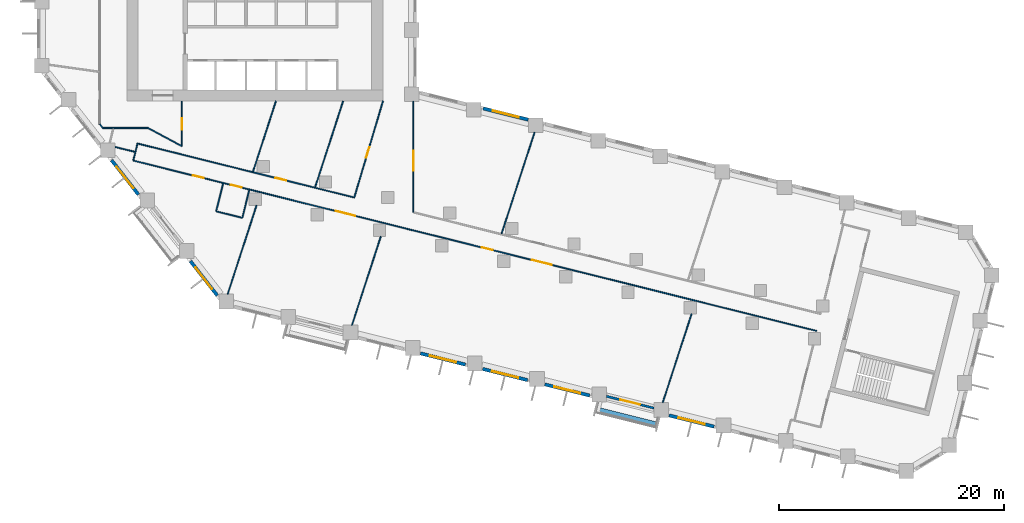
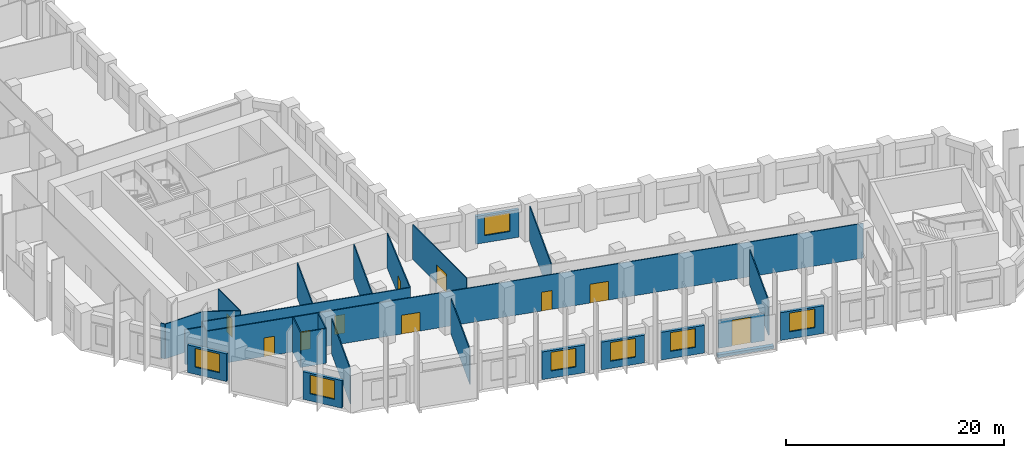
# One storey, part 3 of 11: 28 walls, 10 doors, 7 windows, 17 openings.
"""IFC4 building model written with IfcOpenShell, lengths in metres."""

from ifc_helpers import new_model, si_unit, direction, frame, frame_2d, origin, place, context, subcontext, project, spatial, rectangle, extrude, material, layer, layer_set, type_object, element, fill, save


model = new_model("IFC4")

# Units and contexts
model_context = context("Model", 3, precision=1e-05, world=origin(), true_north=direction((0.0, 1.0)))
body_context = subcontext(model_context, "Body", "Model", "MODEL_VIEW")
ifc_project = project(units=[si_unit("LENGTHUNIT", "METRE"), si_unit("AREAUNIT", "SQUARE_METRE"), si_unit("VOLUMEUNIT", "CUBIC_METRE"), si_unit("PLANEANGLEUNIT", "RADIAN"), si_unit("MASSUNIT", "GRAM", prefix="KILO")], contexts=[model_context])

# Site, building, storey
site_placement = place(None, origin())
site = spatial("IfcSite", under=ifc_project, at=site_placement, CompositionType="ELEMENT")
building_placement = place(site_placement, origin())
building = spatial("IfcBuilding", under=site, at=building_placement, Name="Meshkara Civic Tower", CompositionType="ELEMENT")
storey_placement = place(building_placement, frame((0.0, 0.0, 147.60009765625)))
storey = spatial("IfcBuildingStorey", under=building, at=storey_placement, Name="L33", CompositionType="ELEMENT", Elevation=147.60009765625)

# Walls
ifc_material_1 = material(Name="Corridor wall 100")
ifc_layer_1 = layer(ifc_material_1, 0.10009765625)
ifc_layer_set_1 = layer_set([ifc_layer_1], Name="Corridor wall 100")
wall_type_1 = type_object("IfcWallType", Name="Corridor wall 100", PredefinedType="PARTITIONING", material=ifc_layer_set_1)
wall_1_placement = place(storey_placement, frame((5.60009765625, 12.0439453125, 0.0), z_axis=(0.0, 0.0, 1.0), x_axis=(0.61572000582, -0.787965021072, 0.0)))
element("IfcWall", 1, at=wall_1_placement, inside=storey, type_object=wall_type_1, Name="L33-W004", PredefinedType="PARTITIONING", context=body_context, shape_type="SweptSolid", body=[
    extrude(rectangle(XDim=0.4365234375, YDim=0.10009765625, at=frame_2d((0.21826171875, 0.0))), origin(), (0.0, 0.0, 1.0), 3.89990234375),
])
wall_2_placement = place(storey_placement, frame((5.868896484375, 11.699951171875, 0.0), z_axis=(0.0, 0.0, 1.0), x_axis=(1.0, 0.0, 0.0)))
element("IfcWall", 2, at=wall_2_placement, inside=storey, type_object=wall_type_1, Name="L33-W006", PredefinedType="PARTITIONING", context=body_context, shape_type="SweptSolid", body=[
    extrude(rectangle(XDim=4.031005859375, YDim=0.10009765625, at=frame_2d((2.015625, 0.0))), origin(), (0.0, 0.0, 1.0), 3.89990234375),
])

# Wall, openings, doors
wall_3_placement = place(storey_placement, frame((8.5791015625, 8.802978515625, 0.0), z_axis=(0.0, 0.0, 1.0), x_axis=(0.970298569476, -0.241910491863, 0.0)))
wall_3 = element("IfcWall", 3, at=wall_3_placement, inside=storey, type_object=wall_type_1, Name="L33-W008", PredefinedType="PARTITIONING", context=body_context, shape_type="SweptSolid", body=[
    extrude(rectangle(XDim=62.675537109375, YDim=0.10009765625, at=frame_2d((31.337890625, 0.0))), origin(), (0.0, 0.0, 1.0), 3.89990234375),
])
opening_1_placement = place(wall_3_placement, frame((36.56591796875, 0.0, 0.0)))
opening_1 = element("IfcOpeningElement", 4, at=opening_1_placement, cuts=wall_3, Name="Opening L33-D003", PredefinedType="OPENING", context=body_context, shape_type="SweptSolid", body=[
    extrude(rectangle(XDim=1.800048828125, YDim=2.10009765625, at=frame_2d((0.89990234375, 1.050048828125))), frame((0.0, 0.06005859375, 0.0), z_axis=(0.0, -1.0, 0.0), x_axis=(1.0, 0.0, 0.0)), (0.0, 0.0, 1.0), 0.1201171875),
])
opening_2_placement = place(wall_3_placement, frame((18.56689453125, 0.0, 0.0)))
opening_2 = element("IfcOpeningElement", 5, at=opening_2_placement, cuts=wall_3, Name="Opening L33-D005", PredefinedType="OPENING", context=body_context, shape_type="SweptSolid", body=[
    extrude(rectangle(XDim=1.800048828125, YDim=2.10009765625, at=frame_2d((0.89990234375, 1.050048828125))), frame((0.0, 0.06005859375, 0.0), z_axis=(0.0, -1.0, 0.0), x_axis=(1.0, 0.0, 0.0)), (0.0, 0.0, 1.0), 0.1201171875),
])
opening_3_placement = place(wall_3_placement, frame((31.966064453125, 0.0, 0.0)))
opening_3 = element("IfcOpeningElement", 6, at=opening_3_placement, cuts=wall_3, Name="Opening L33-D006", PredefinedType="OPENING", context=body_context, shape_type="SweptSolid", body=[
    extrude(rectangle(XDim=1.0, YDim=2.10009765625, at=frame_2d((0.5, 1.050048828125))), frame((0.0, 0.06005859375, 0.0), z_axis=(0.0, -1.0, 0.0), x_axis=(1.0, 0.0, 0.0)), (0.0, 0.0, 1.0), 0.1201171875),
])
opening_4_placement = place(wall_3_placement, frame((5.47998046875, 0.0, 0.0)))
opening_4 = element("IfcOpeningElement", 7, at=opening_4_placement, cuts=wall_3, Name="Opening L33-D010", PredefinedType="OPENING", context=body_context, shape_type="SweptSolid", body=[
    extrude(rectangle(XDim=1.0, YDim=2.10009765625, at=frame_2d((0.5, 1.050048828125))), frame((0.0, 0.06005859375, 0.0), z_axis=(0.0, -1.0, 0.0), x_axis=(1.0, 0.0, 0.0)), (0.0, 0.0, 1.0), 0.1201171875),
])
opening_5_placement = place(wall_3_placement, frame((8.929931640625, 0.0, 0.0)))
opening_5 = element("IfcOpeningElement", 8, at=opening_5_placement, cuts=wall_3, Name="Opening L33-D011", PredefinedType="OPENING", context=body_context, shape_type="SweptSolid", body=[
    extrude(rectangle(XDim=1.0, YDim=2.10009765625, at=frame_2d((0.5, 1.050048828125))), frame((0.0, 0.06005859375, 0.0), z_axis=(0.0, -1.0, 0.0), x_axis=(1.0, 0.0, 0.0)), (0.0, 0.0, 1.0), 0.1201171875),
])
ifc_material_2 = material(Name="Door 1000 x 2100")
door_type_1 = type_object("IfcDoorType", Name="Door 1000 x 2100", OperationType="SINGLE_SWING_LEFT", PredefinedType="DOOR", material=ifc_material_2)
door_1_placement = place(opening_3_placement, origin())
door_1 = element("IfcDoor", 9, at=door_1_placement, inside=storey, type_object=door_type_1, Name="L33-D006", OperationType="SINGLE_SWING_RIGHT", OverallHeight=2.10009765625, OverallWidth=1.0, PredefinedType="DOOR", context=body_context, shape_type="SweptSolid", body=[
    extrude(rectangle(XDim=1.0, YDim=2.10009765625, at=frame_2d((0.5, 1.050048828125))), frame((0.0, 0.02490234375, 0.0), z_axis=(0.0, -1.0, 0.0), x_axis=(1.0, 0.0, 0.0)), (0.0, 0.0, 1.0), 0.050048828125),
])
fill(opening_3, door_1)
door_2_placement = place(opening_4_placement, origin())
door_2 = element("IfcDoor", 10, at=door_2_placement, inside=storey, type_object=door_type_1, Name="L33-D010", OperationType="SINGLE_SWING_LEFT", OverallHeight=2.10009765625, OverallWidth=1.0, PredefinedType="DOOR", context=body_context, shape_type="SweptSolid", body=[
    extrude(rectangle(XDim=1.0, YDim=2.10009765625, at=frame_2d((0.5, 1.050048828125))), frame((0.0, 0.02490234375, 0.0), z_axis=(0.0, -1.0, 0.0), x_axis=(1.0, 0.0, 0.0)), (0.0, 0.0, 1.0), 0.050048828125),
])
fill(opening_4, door_2)
door_3_placement = place(opening_5_placement, origin())
door_3 = element("IfcDoor", 11, at=door_3_placement, inside=storey, type_object=door_type_1, Name="L33-D011", OperationType="SINGLE_SWING_RIGHT", OverallHeight=2.10009765625, OverallWidth=1.0, PredefinedType="DOOR", context=body_context, shape_type="SweptSolid", body=[
    extrude(rectangle(XDim=1.0, YDim=2.10009765625, at=frame_2d((0.5, 1.050048828125))), frame((0.0, 0.02490234375, 0.0), z_axis=(0.0, -1.0, 0.0), x_axis=(1.0, 0.0, 0.0)), (0.0, 0.0, 1.0), 0.050048828125),
])
fill(opening_5, door_3)
ifc_material_3 = material(Name="Door pair 1800 x 2100")
door_type_2 = type_object("IfcDoorType", Name="Door pair 1800 x 2100", OperationType="SINGLE_SWING_LEFT", PredefinedType="DOOR", material=ifc_material_3)
door_4_placement = place(opening_1_placement, origin())
door_4 = element("IfcDoor", 12, at=door_4_placement, inside=storey, type_object=door_type_2, Name="L33-D003", OperationType="DOUBLE_DOOR_SINGLE_SWING", OverallHeight=2.10009765625, OverallWidth=1.800048828125, PredefinedType="DOOR", context=body_context, shape_type="SweptSolid", body=[
    extrude(rectangle(XDim=1.800048828125, YDim=2.10009765625, at=frame_2d((0.89990234375, 1.050048828125))), frame((0.0, 0.02490234375, 0.0), z_axis=(0.0, -1.0, 0.0), x_axis=(1.0, 0.0, 0.0)), (0.0, 0.0, 1.0), 0.050048828125),
])
fill(opening_1, door_4)
door_5_placement = place(opening_2_placement, origin())
door_5 = element("IfcDoor", 13, at=door_5_placement, inside=storey, type_object=door_type_2, Name="L33-D005", OperationType="DOUBLE_DOOR_SINGLE_SWING", OverallHeight=2.10009765625, OverallWidth=1.800048828125, PredefinedType="DOOR", context=body_context, shape_type="SweptSolid", body=[
    extrude(rectangle(XDim=1.800048828125, YDim=2.10009765625, at=frame_2d((0.89990234375, 1.050048828125))), frame((0.0, 0.02490234375, 0.0), z_axis=(0.0, -1.0, 0.0), x_axis=(1.0, 0.0, 0.0)), (0.0, 0.0, 1.0), 0.050048828125),
])
fill(opening_2, door_5)

# Wall, opening, door
wall_4_placement = place(storey_placement, frame((8.9580078125, 10.322998046875, 0.0), z_axis=(0.0, 0.0, 1.0), x_axis=(0.970298340477, -0.241911410372, 0.0)))
wall_4 = element("IfcWall", 14, at=wall_4_placement, inside=storey, type_object=wall_type_1, Name="L33-W009", PredefinedType="PARTITIONING", context=body_context, shape_type="SweptSolid", body=[
    extrude(rectangle(XDim=19.879638671875, YDim=0.10009765625, at=frame_2d((9.93994140625, 0.0))), origin(), (0.0, 0.0, 1.0), 3.89990234375),
])
opening_6_placement = place(wall_4_placement, frame((12.653076171875, 0.0, 0.0)))
opening_6 = element("IfcOpeningElement", 15, at=opening_6_placement, cuts=wall_4, Name="Opening L33-D012", PredefinedType="OPENING", context=body_context, shape_type="SweptSolid", body=[
    extrude(rectangle(XDim=1.0, YDim=2.10009765625, at=frame_2d((0.5, 1.050048828125))), frame((0.0, 0.06005859375, 0.0), z_axis=(0.0, -1.0, 0.0), x_axis=(1.0, 0.0, 0.0)), (0.0, 0.0, 1.0), 0.1201171875),
])
door_6_placement = place(opening_6_placement, origin())
door_6 = element("IfcDoor", 16, at=door_6_placement, inside=storey, type_object=door_type_1, Name="L33-D012", OperationType="SINGLE_SWING_LEFT", OverallHeight=2.10009765625, OverallWidth=1.0, PredefinedType="DOOR", context=body_context, shape_type="SweptSolid", body=[
    extrude(rectangle(XDim=1.0, YDim=2.10009765625, at=frame_2d((0.5, 1.050048828125))), frame((0.0, 0.02490234375, 0.0), z_axis=(0.0, -1.0, 0.0), x_axis=(1.0, 0.0, 0.0)), (0.0, 0.0, 1.0), 0.050048828125),
])
fill(opening_6, door_6)

# Walls
wall_5_placement = place(storey_placement, frame((8.9580078125, 10.322998046875, 0.0), z_axis=(0.0, 0.0, 1.0), x_axis=(-0.241875508386, -0.97030729073, 0.0)))
element("IfcWall", 17, at=wall_5_placement, inside=storey, type_object=wall_type_1, Name="L33-W010", PredefinedType="PARTITIONING", context=body_context, shape_type="SweptSolid", body=[
    extrude(rectangle(XDim=1.566650390625, YDim=0.10009765625, at=frame_2d((0.783203125, 0.0))), origin(), (0.0, 0.0, 1.0), 3.89990234375),
])
wall_6_placement = place(storey_placement, frame((9.89990234375, 11.699951171875, 0.0), z_axis=(0.0, 0.0, 1.0), x_axis=(0.87965147249, -0.475618846291, 0.0)))
element("IfcWall", 18, at=wall_6_placement, inside=storey, type_object=wall_type_1, Name="L33-W011", PredefinedType="PARTITIONING", context=body_context, shape_type="SweptSolid", body=[
    extrude(rectangle(XDim=3.410400390625, YDim=0.10009765625, at=frame_2d((1.705078125, 0.0))), origin(), (0.0, 0.0, 1.0), 3.89990234375),
])

# Wall, opening, door
wall_7_placement = place(storey_placement, frame((12.89990234375, 10.077880859375, 0.0), z_axis=(0.0, 0.0, 1.0), x_axis=(0.0, 1.0, 0.0)))
wall_7 = element("IfcWall", 19, at=wall_7_placement, inside=storey, type_object=wall_type_1, Name="L33-W015", PredefinedType="PARTITIONING", context=body_context, shape_type="SweptSolid", body=[
    extrude(rectangle(XDim=4.022216796875, YDim=0.10009765625, at=frame_2d((2.01123046875, 0.0))), origin(), (0.0, 0.0, 1.0), 3.89990234375),
])
opening_7_placement = place(wall_7_placement, frame((1.47998046875, 0.0, 0.0)))
opening_7 = element("IfcOpeningElement", 20, at=opening_7_placement, cuts=wall_7, Name="Opening L33-D016", PredefinedType="OPENING", context=body_context, shape_type="SweptSolid", body=[
    extrude(rectangle(XDim=1.0, YDim=2.10009765625, at=frame_2d((0.5, 1.050048828125))), frame((0.0, 0.06005859375, 0.0), z_axis=(0.0, -1.0, 0.0), x_axis=(1.0, 0.0, 0.0)), (0.0, 0.0, 1.0), 0.1201171875),
])
door_7_placement = place(opening_7_placement, origin())
door_7 = element("IfcDoor", 21, at=door_7_placement, inside=storey, type_object=door_type_1, Name="L33-D016", OperationType="SINGLE_SWING_RIGHT", OverallHeight=2.10009765625, OverallWidth=1.0, PredefinedType="DOOR", context=body_context, shape_type="SweptSolid", body=[
    extrude(rectangle(XDim=1.0, YDim=2.10009765625, at=frame_2d((0.5, 1.050048828125))), frame((0.0, 0.02490234375, 0.0), z_axis=(0.0, -1.0, 0.0), x_axis=(1.0, 0.0, 0.0)), (0.0, 0.0, 1.0), 0.050048828125),
])
fill(opening_7, door_7)

wall_8_placement = place(storey_placement, frame((30.800048828125, 14.10009765625, 0.0), z_axis=(0.0, 0.0, 1.0), x_axis=(-0.285004107837, -0.958526295162, 0.0)))
wall_8 = element("IfcWall", 22, at=wall_8_placement, inside=storey, type_object=wall_type_1, Name="L33-W021", PredefinedType="PARTITIONING", context=body_context, shape_type="SweptSolid", body=[
    extrude(rectangle(XDim=8.957763671875, YDim=0.10009765625, at=frame_2d((4.47900390625, 0.0))), origin(), (0.0, 0.0, 1.0), 3.89990234375),
])
opening_8_placement = place(wall_8_placement, frame((4.280029296875, 0.0, 0.0)))
opening_8 = element("IfcOpeningElement", 23, at=opening_8_placement, cuts=wall_8, Name="Opening L33-D013", PredefinedType="OPENING", context=body_context, shape_type="SweptSolid", body=[
    extrude(rectangle(XDim=1.0, YDim=2.10009765625, at=frame_2d((0.5, 1.050048828125))), frame((0.0, 0.06005859375, 0.0), z_axis=(0.0, -1.0, 0.0), x_axis=(1.0, 0.0, 0.0)), (0.0, 0.0, 1.0), 0.1201171875),
])
door_8_placement = place(opening_8_placement, origin())
door_8 = element("IfcDoor", 24, at=door_8_placement, inside=storey, type_object=door_type_1, Name="L33-D013", OperationType="SINGLE_SWING_LEFT", OverallHeight=2.10009765625, OverallWidth=1.0, PredefinedType="DOOR", context=body_context, shape_type="SweptSolid", body=[
    extrude(rectangle(XDim=1.0, YDim=2.10009765625, at=frame_2d((0.5, 1.050048828125))), frame((0.0, 0.02490234375, 0.0), z_axis=(0.0, -1.0, 0.0), x_axis=(1.0, 0.0, 0.0)), (0.0, 0.0, 1.0), 0.050048828125),
])
fill(opening_8, door_8)

wall_9_placement = place(storey_placement, frame((33.5, 4.2041015625, 0.0), z_axis=(0.0, 0.0, 1.0), x_axis=(0.0, 1.0, 0.0)))
wall_9 = element("IfcWall", 25, at=wall_9_placement, inside=storey, type_object=wall_type_1, Name="L33-W023", PredefinedType="PARTITIONING", context=body_context, shape_type="SweptSolid", body=[
    extrude(rectangle(XDim=9.864990234375, YDim=0.10009765625, at=frame_2d((4.9326171875, 0.0))), origin(), (0.0, 0.0, 1.0), 3.89990234375),
])
opening_9_placement = place(wall_9_placement, frame((3.679931640625, 0.0, 0.0)))
opening_9 = element("IfcOpeningElement", 26, at=opening_9_placement, cuts=wall_9, Name="Opening L33-D014", PredefinedType="OPENING", context=body_context, shape_type="SweptSolid", body=[
    extrude(rectangle(XDim=1.800048828125, YDim=2.10009765625, at=frame_2d((0.89990234375, 1.050048828125))), frame((0.0, 0.06005859375, 0.0), z_axis=(0.0, -1.0, 0.0), x_axis=(1.0, 0.0, 0.0)), (0.0, 0.0, 1.0), 0.1201171875),
])
door_9_placement = place(opening_9_placement, origin())
door_9 = element("IfcDoor", 27, at=door_9_placement, inside=storey, type_object=door_type_2, Name="L33-D014", OperationType="DOUBLE_DOOR_SINGLE_SWING", OverallHeight=2.10009765625, OverallWidth=1.800048828125, PredefinedType="DOOR", context=body_context, shape_type="SweptSolid", body=[
    extrude(rectangle(XDim=1.800048828125, YDim=2.10009765625, at=frame_2d((0.89990234375, 1.050048828125))), frame((0.0, 0.02490234375, 0.0), z_axis=(0.0, -1.0, 0.0), x_axis=(1.0, 0.0, 0.0)), (0.0, 0.0, 1.0), 0.050048828125),
])
fill(opening_9, door_9)

# Wall, opening, window
ifc_material_4 = material(Name="Insulated infill panel with bronze anodised aluminium cladding", Category="aluminium")
ifc_layer_2 = layer(ifc_material_4, 0.300048828125)
ifc_layer_set_2 = layer_set([ifc_layer_2], Name="EXTERNAL INFILL WALL 300")
wall_type_2 = type_object("IfcWallType", Name="EXTERNAL INFILL WALL 300", PredefinedType="SOLIDWALL", material=ifc_layer_set_2)
wall_10_placement = place(storey_placement, frame((43.718994140625, 12.443115234375, 0.0), z_axis=(0.0, 0.0, 1.0), x_axis=(-0.970281650314, 0.241978344205, 0.0)))
wall_10 = element("IfcWall", 28, at=wall_10_placement, inside=storey, type_object=wall_type_2, Name="External wall", PredefinedType="SOLIDWALL", context=body_context, shape_type="SweptSolid", body=[
    extrude(rectangle(XDim=4.12353515625, YDim=0.300048828125, at=frame_2d((2.061767578125, 0.0))), origin(), (0.0, 0.0, 1.0), 3.099853515625),
])
opening_10_placement = place(wall_10_placement, frame((0.862060546875, 0.0, 0.800048828125)))
opening_10 = element("IfcOpeningElement", 29, at=opening_10_placement, cuts=wall_10, Name="Opening W7", PredefinedType="OPENING", context=body_context, shape_type="SweptSolid", body=[
    extrude(rectangle(XDim=2.39990234375, YDim=2.10009765625, at=frame_2d((1.199951171875, 1.050048828125))), frame((0.0, 0.159912109375, 0.0), z_axis=(0.0, -1.0, 0.0), x_axis=(1.0, 0.0, 0.0)), (0.0, 0.0, 1.0), 0.320068359375),
])
ifc_material_5 = material(Name="Tinted double glazing", Category="glass")
window_type = type_object("IfcWindowType", Name="WINDOW 2400x2100", PartitioningType="DOUBLE_PANEL_VERTICAL", PredefinedType="WINDOW", material=ifc_material_5)
window_1_placement = place(opening_10_placement, origin())
window_1 = element("IfcWindow", 30, at=window_1_placement, inside=storey, type_object=window_type, Name="Window", OverallHeight=2.10009765625, OverallWidth=2.39990234375, PartitioningType="DOUBLE_PANEL_VERTICAL", PredefinedType="WINDOW", context=body_context, shape_type="SweptSolid", body=[
    extrude(rectangle(XDim=2.39990234375, YDim=2.10009765625, at=frame_2d((1.199951171875, 1.050048828125))), frame((0.0, 0.030029296875, 0.0), z_axis=(0.0, -1.0, 0.0), x_axis=(1.0, 0.0, 0.0)), (0.0, 0.0, 1.0), 0.06005859375),
])
fill(opening_10, window_1)

wall_11_placement = place(storey_placement, frame((6.64892578125, 8.833984375, 0.0), z_axis=(0.0, 0.0, 1.0), x_axis=(0.615535257281, -0.788109349674, 0.0)))
wall_11 = element("IfcWall", 31, at=wall_11_placement, inside=storey, type_object=wall_type_2, Name="External wall", PredefinedType="SOLIDWALL", context=body_context, shape_type="SweptSolid", body=[
    extrude(rectangle(XDim=3.876220703125, YDim=0.300048828125, at=frame_2d((1.93798828125, 0.0))), origin(), (0.0, 0.0, 1.0), 3.099853515625),
])
opening_11_placement = place(wall_11_placement, frame((0.738037109375, 0.0, 0.800048828125)))
opening_11 = element("IfcOpeningElement", 32, at=opening_11_placement, cuts=wall_11, Name="Opening W7", PredefinedType="OPENING", context=body_context, shape_type="SweptSolid", body=[
    extrude(rectangle(XDim=2.39990234375, YDim=2.10009765625, at=frame_2d((1.199951171875, 1.050048828125))), frame((0.0, 0.159912109375, 0.0), z_axis=(0.0, -1.0, 0.0), x_axis=(1.0, 0.0, 0.0)), (0.0, 0.0, 1.0), 0.320068359375),
])
window_2_placement = place(opening_11_placement, origin())
window_2 = element("IfcWindow", 33, at=window_2_placement, inside=storey, type_object=window_type, Name="Window", OverallHeight=2.10009765625, OverallWidth=2.39990234375, PartitioningType="DOUBLE_PANEL_VERTICAL", PredefinedType="WINDOW", context=body_context, shape_type="SweptSolid", body=[
    extrude(rectangle(XDim=2.39990234375, YDim=2.10009765625, at=frame_2d((1.199951171875, 1.050048828125))), frame((0.0, 0.030029296875, 0.0), z_axis=(0.0, -1.0, 0.0), x_axis=(1.0, 0.0, 0.0)), (0.0, 0.0, 1.0), 0.06005859375),
])
fill(opening_11, window_2)

wall_12_placement = place(storey_placement, frame((13.6669921875, -0.14990234375, 0.0), z_axis=(0.0, 0.0, 1.0), x_axis=(0.615626928003, -0.788037743714, 0.0)))
wall_12 = element("IfcWall", 34, at=wall_12_placement, inside=storey, type_object=wall_type_2, Name="External wall", PredefinedType="SOLIDWALL", context=body_context, shape_type="SweptSolid", body=[
    extrude(rectangle(XDim=3.875732421875, YDim=0.300048828125, at=frame_2d((1.93798828125, 0.0))), origin(), (0.0, 0.0, 1.0), 3.099853515625),
])
opening_12_placement = place(wall_12_placement, frame((0.738037109375, 0.0, 0.800048828125)))
opening_12 = element("IfcOpeningElement", 35, at=opening_12_placement, cuts=wall_12, Name="Opening W7", PredefinedType="OPENING", context=body_context, shape_type="SweptSolid", body=[
    extrude(rectangle(XDim=2.39990234375, YDim=2.10009765625, at=frame_2d((1.199951171875, 1.050048828125))), frame((0.0, 0.159912109375, 0.0), z_axis=(0.0, -1.0, 0.0), x_axis=(1.0, 0.0, 0.0)), (0.0, 0.0, 1.0), 0.320068359375),
])
window_3_placement = place(opening_12_placement, origin())
window_3 = element("IfcWindow", 36, at=window_3_placement, inside=storey, type_object=window_type, Name="Window", OverallHeight=2.10009765625, OverallWidth=2.39990234375, PartitioningType="DOUBLE_PANEL_VERTICAL", PredefinedType="WINDOW", context=body_context, shape_type="SweptSolid", body=[
    extrude(rectangle(XDim=2.39990234375, YDim=2.10009765625, at=frame_2d((1.199951171875, 1.050048828125))), frame((0.0, 0.030029296875, 0.0), z_axis=(0.0, -1.0, 0.0), x_axis=(1.0, 0.0, 0.0)), (0.0, 0.0, 1.0), 0.06005859375),
])
fill(opening_12, window_3)

wall_13_placement = place(storey_placement, frame((34.135009765625, -8.35595703125, 0.0), z_axis=(0.0, 0.0, 1.0), x_axis=(0.970281616392, -0.241978480223, 0.0)))
wall_13 = element("IfcWall", 37, at=wall_13_placement, inside=storey, type_object=wall_type_2, Name="External wall", PredefinedType="SOLIDWALL", context=body_context, shape_type="SweptSolid", body=[
    extrude(rectangle(XDim=4.12451171875, YDim=0.300048828125, at=frame_2d((2.062255859375, 0.0))), origin(), (0.0, 0.0, 1.0), 3.099853515625),
])
opening_13_placement = place(wall_13_placement, frame((0.862060546875, 0.0, 0.800048828125)))
opening_13 = element("IfcOpeningElement", 38, at=opening_13_placement, cuts=wall_13, Name="Opening W7", PredefinedType="OPENING", context=body_context, shape_type="SweptSolid", body=[
    extrude(rectangle(XDim=2.39990234375, YDim=2.10009765625, at=frame_2d((1.199951171875, 1.050048828125))), frame((0.0, 0.159912109375, 0.0), z_axis=(0.0, -1.0, 0.0), x_axis=(1.0, 0.0, 0.0)), (0.0, 0.0, 1.0), 0.320068359375),
])
window_4_placement = place(opening_13_placement, origin())
window_4 = element("IfcWindow", 39, at=window_4_placement, inside=storey, type_object=window_type, Name="Window", OverallHeight=2.10009765625, OverallWidth=2.39990234375, PartitioningType="DOUBLE_PANEL_VERTICAL", PredefinedType="WINDOW", context=body_context, shape_type="SweptSolid", body=[
    extrude(rectangle(XDim=2.39990234375, YDim=2.10009765625, at=frame_2d((1.199951171875, 1.050048828125))), frame((0.0, 0.030029296875, 0.0), z_axis=(0.0, -1.0, 0.0), x_axis=(1.0, 0.0, 0.0)), (0.0, 0.0, 1.0), 0.06005859375),
])
fill(opening_13, window_4)

wall_14_placement = place(storey_placement, frame((39.666015625, -9.735107421875, 0.0), z_axis=(0.0, 0.0, 1.0), x_axis=(0.97029551261, -0.241922752565, 0.0)))
wall_14 = element("IfcWall", 40, at=wall_14_placement, inside=storey, type_object=wall_type_2, Name="External wall", PredefinedType="SOLIDWALL", context=body_context, shape_type="SweptSolid", body=[
    extrude(rectangle(XDim=4.12451171875, YDim=0.300048828125, at=frame_2d((2.062255859375, 0.0))), origin(), (0.0, 0.0, 1.0), 3.099853515625),
])
opening_14_placement = place(wall_14_placement, frame((0.862060546875, 0.0, 0.800048828125)))
opening_14 = element("IfcOpeningElement", 41, at=opening_14_placement, cuts=wall_14, Name="Opening W7", PredefinedType="OPENING", context=body_context, shape_type="SweptSolid", body=[
    extrude(rectangle(XDim=2.39990234375, YDim=2.10009765625, at=frame_2d((1.199951171875, 1.050048828125))), frame((0.0, 0.159912109375, 0.0), z_axis=(0.0, -1.0, 0.0), x_axis=(1.0, 0.0, 0.0)), (0.0, 0.0, 1.0), 0.320068359375),
])
window_5_placement = place(opening_14_placement, origin())
window_5 = element("IfcWindow", 42, at=window_5_placement, inside=storey, type_object=window_type, Name="Window", OverallHeight=2.10009765625, OverallWidth=2.39990234375, PartitioningType="DOUBLE_PANEL_VERTICAL", PredefinedType="WINDOW", context=body_context, shape_type="SweptSolid", body=[
    extrude(rectangle(XDim=2.39990234375, YDim=2.10009765625, at=frame_2d((1.199951171875, 1.050048828125))), frame((0.0, 0.030029296875, 0.0), z_axis=(0.0, -1.0, 0.0), x_axis=(1.0, 0.0, 0.0)), (0.0, 0.0, 1.0), 0.06005859375),
])
fill(opening_14, window_5)

wall_15_placement = place(storey_placement, frame((45.197021484375, -11.114013671875, 0.0), z_axis=(0.0, 0.0, 1.0), x_axis=(0.970267747908, -0.242034083076, 0.0)))
wall_15 = element("IfcWall", 43, at=wall_15_placement, inside=storey, type_object=wall_type_2, Name="External wall", PredefinedType="SOLIDWALL", context=body_context, shape_type="SweptSolid", body=[
    extrude(rectangle(XDim=4.12353515625, YDim=0.300048828125, at=frame_2d((2.061767578125, 0.0))), origin(), (0.0, 0.0, 1.0), 3.099853515625),
])
opening_15_placement = place(wall_15_placement, frame((0.862060546875, 0.0, 0.800048828125)))
opening_15 = element("IfcOpeningElement", 44, at=opening_15_placement, cuts=wall_15, Name="Opening W7", PredefinedType="OPENING", context=body_context, shape_type="SweptSolid", body=[
    extrude(rectangle(XDim=2.39990234375, YDim=2.10009765625, at=frame_2d((1.199951171875, 1.050048828125))), frame((0.0, 0.159912109375, 0.0), z_axis=(0.0, -1.0, 0.0), x_axis=(1.0, 0.0, 0.0)), (0.0, 0.0, 1.0), 0.320068359375),
])
window_6_placement = place(opening_15_placement, origin())
window_6 = element("IfcWindow", 45, at=window_6_placement, inside=storey, type_object=window_type, Name="Window", OverallHeight=2.10009765625, OverallWidth=2.39990234375, PartitioningType="DOUBLE_PANEL_VERTICAL", PredefinedType="WINDOW", context=body_context, shape_type="SweptSolid", body=[
    extrude(rectangle(XDim=2.39990234375, YDim=2.10009765625, at=frame_2d((1.199951171875, 1.050048828125))), frame((0.0, 0.030029296875, 0.0), z_axis=(0.0, -1.0, 0.0), x_axis=(1.0, 0.0, 0.0)), (0.0, 0.0, 1.0), 0.06005859375),
])
fill(opening_15, window_6)

wall_16_placement = place(storey_placement, frame((56.258056640625, -13.8720703125, 0.0), z_axis=(0.0, 0.0, 1.0), x_axis=(0.970281616392, -0.241978480223, 0.0)))
wall_16 = element("IfcWall", 46, at=wall_16_placement, inside=storey, type_object=wall_type_2, Name="External wall", PredefinedType="SOLIDWALL", context=body_context, shape_type="SweptSolid", body=[
    extrude(rectangle(XDim=4.12451171875, YDim=0.300048828125, at=frame_2d((2.062255859375, 0.0))), origin(), (0.0, 0.0, 1.0), 3.099853515625),
])
opening_16_placement = place(wall_16_placement, frame((0.862060546875, 0.0, 0.800048828125)))
opening_16 = element("IfcOpeningElement", 47, at=opening_16_placement, cuts=wall_16, Name="Opening W7", PredefinedType="OPENING", context=body_context, shape_type="SweptSolid", body=[
    extrude(rectangle(XDim=2.39990234375, YDim=2.10009765625, at=frame_2d((1.199951171875, 1.050048828125))), frame((0.0, 0.159912109375, 0.0), z_axis=(0.0, -1.0, 0.0), x_axis=(1.0, 0.0, 0.0)), (0.0, 0.0, 1.0), 0.320068359375),
])
window_7_placement = place(opening_16_placement, origin())
window_7 = element("IfcWindow", 48, at=window_7_placement, inside=storey, type_object=window_type, Name="Window", OverallHeight=2.10009765625, OverallWidth=2.39990234375, PartitioningType="DOUBLE_PANEL_VERTICAL", PredefinedType="WINDOW", context=body_context, shape_type="SweptSolid", body=[
    extrude(rectangle(XDim=2.39990234375, YDim=2.10009765625, at=frame_2d((1.199951171875, 1.050048828125))), frame((0.0, 0.030029296875, 0.0), z_axis=(0.0, -1.0, 0.0), x_axis=(1.0, 0.0, 0.0)), (0.0, 0.0, 1.0), 0.06005859375),
])
fill(opening_16, window_7)

# Wall, opening, door
ifc_material_6 = material(Name="Insulated infill panel with bronze anodised aluminium cladding", Category="aluminium")
ifc_layer_3 = layer(ifc_material_6, 0.199951171875)
ifc_layer_set_3 = layer_set([ifc_layer_3], Name="LOGGIA BACK WALL 200")
wall_type_3 = type_object("IfcWallType", Name="LOGGIA BACK WALL 200", PredefinedType="SOLIDWALL", material=ifc_layer_set_3)
wall_17_placement = place(storey_placement, frame((50.68505859375, -12.173095703125, 0.0), z_axis=(0.0, 0.0, 1.0), x_axis=(0.970293811216, -0.241929576357, 0.0)))
wall_17 = element("IfcWall", 49, at=wall_17_placement, inside=storey, type_object=wall_type_3, Name="Loggia wall", PredefinedType="SOLIDWALL", context=body_context, shape_type="SweptSolid", body=[
    extrude(rectangle(XDim=4.360595703125, YDim=0.199951171875, at=frame_2d((2.18017578125, 0.0))), origin(), (0.0, 0.0, 1.0), 3.099853515625),
])
opening_17_placement = place(wall_17_placement, frame((1.280029296875, 0.0, 0.0)))
opening_17 = element("IfcOpeningElement", 50, at=opening_17_placement, cuts=wall_17, Name="Opening L33-L005", PredefinedType="OPENING", context=body_context, shape_type="SweptSolid", body=[
    extrude(rectangle(XDim=1.800048828125, YDim=2.89990234375, at=frame_2d((0.89990234375, 1.449951171875))), frame((0.0, 0.10986328125, 0.0), z_axis=(0.0, -1.0, 0.0), x_axis=(1.0, 0.0, 0.0)), (0.0, 0.0, 1.0), 0.219970703125),
])
ifc_material_7 = material(Name="Tinted double glazing", Category="glass")
door_type_3 = type_object("IfcDoorType", Name="LOGGIA DOOR 1800x2900", OperationType="DOUBLE_DOOR_SINGLE_SWING", PredefinedType="DOOR", material=ifc_material_7)
door_10_placement = place(opening_17_placement, origin())
door_10 = element("IfcDoor", 51, at=door_10_placement, inside=storey, type_object=door_type_3, Name="L33-L005", OperationType="DOUBLE_DOOR_SINGLE_SWING", OverallHeight=2.89990234375, OverallWidth=1.800048828125, PredefinedType="DOOR", context=body_context, shape_type="SweptSolid", body=[
    extrude(rectangle(XDim=1.800048828125, YDim=2.89990234375, at=frame_2d((0.89990234375, 1.449951171875))), frame((0.0, 0.02490234375, 0.0), z_axis=(0.0, -1.0, 0.0), x_axis=(1.0, 0.0, 0.0)), (0.0, 0.0, 1.0), 0.050048828125),
])
fill(opening_17, door_10)

# Walls
ifc_material_8 = material(Name="Concrete C40", Category="concrete")
ifc_layer_4 = layer(ifc_material_8, 0.39990234375)
ifc_layer_set_4 = layer_set([ifc_layer_4], Name="PLANTER TRAY")
wall_type_4 = type_object("IfcWallType", Name="PLANTER TRAY", PredefinedType="SOLIDWALL", material=ifc_layer_set_4)
wall_18_placement = place(storey_placement, frame((49.8779296875, -13.343017578125, 0.0), z_axis=(0.0, 0.0, 1.0), x_axis=(0.970292345375, -0.241935455249, 0.0)))
element("IfcWall", 52, at=wall_18_placement, inside=storey, type_object=wall_type_4, Name="Planter", PredefinedType="SOLIDWALL", context=body_context, shape_type="SweptSolid", body=[
    extrude(rectangle(XDim=5.3603515625, YDim=0.39990234375, at=frame_2d((2.68017578125, 0.0))), origin(), (0.0, 0.0, 1.0), 0.2998046875),
])
ifc_material_9 = material(Name="Partition 100")
ifc_layer_5 = layer(ifc_material_9, 0.10009765625)
ifc_layer_set_5 = layer_set([ifc_layer_5], Name="Partition 100")
wall_type_5 = type_object("IfcWallType", Name="Partition 100", PredefinedType="PARTITIONING", material=ifc_layer_set_5)
wall_19_placement = place(storey_placement, frame((8.718994140625, 9.574951171875, 0.0), z_axis=(0.0, 0.0, 1.0), x_axis=(-0.970333736057, 0.241769395645, 0.0)))
element("IfcWall", 53, at=wall_19_placement, inside=storey, type_object=wall_type_5, Name="L33-W035", PredefinedType="PARTITIONING", context=body_context, shape_type="SweptSolid", body=[
    extrude(rectangle(XDim=1.799560546875, YDim=0.10009765625, at=frame_2d((0.89990234375, 0.0))), origin(), (0.0, 0.0, 1.0), 3.89990234375),
])
wall_20_placement = place(storey_placement, frame((15.955078125, 4.284912109375, 0.0), z_axis=(0.0, 0.0, 1.0), x_axis=(0.241949841323, 0.970288758197, 0.0)))
element("IfcWall", 54, at=wall_20_placement, inside=storey, type_object=wall_type_5, Name="L33-W039", PredefinedType="PARTITIONING", context=body_context, shape_type="SweptSolid", body=[
    extrude(rectangle(XDim=2.5498046875, YDim=0.10009765625, at=frame_2d((1.27490234375, 0.0))), origin(), (0.0, 0.0, 1.0), 3.89990234375),
])
wall_21_placement = place(storey_placement, frame((16.97802734375, -3.087890625, 0.0), z_axis=(0.0, 0.0, 1.0), x_axis=(0.308986355751, 0.951066470842, 0.0)))
element("IfcWall", 55, at=wall_21_placement, inside=storey, type_object=wall_type_5, Name="L33-W040", PredefinedType="PARTITIONING", context=body_context, shape_type="SweptSolid", body=[
    extrude(rectangle(XDim=8.30419921875, YDim=0.10009765625, at=frame_2d((4.152099609375, 0.0))), origin(), (0.0, 0.0, 1.0), 3.89990234375),
])
wall_22_placement = place(storey_placement, frame((18.283935546875, 3.7041015625, 0.0), z_axis=(0.0, 0.0, 1.0), x_axis=(-0.970279961304, 0.241985116673, 0.0)))
element("IfcWall", 56, at=wall_22_placement, inside=storey, type_object=wall_type_5, Name="L33-W041", PredefinedType="PARTITIONING", context=body_context, shape_type="SweptSolid", body=[
    extrude(rectangle(XDim=2.400146484375, YDim=0.10009765625, at=frame_2d((1.2001953125, 0.0))), origin(), (0.0, 0.0, 1.0), 3.89990234375),
])
wall_23_placement = place(storey_placement, frame((18.90087890625, 6.177978515625, 0.0), z_axis=(0.0, 0.0, 1.0), x_axis=(-0.241972320765, -0.970283152478, 0.0)))
element("IfcWall", 57, at=wall_23_placement, inside=storey, type_object=wall_type_5, Name="L33-W042", PredefinedType="PARTITIONING", context=body_context, shape_type="SweptSolid", body=[
    extrude(rectangle(XDim=2.549560546875, YDim=0.10009765625, at=frame_2d((1.27490234375, 0.0))), origin(), (0.0, 0.0, 1.0), 3.89990234375),
])
wall_24_placement = place(storey_placement, frame((19.23388671875, 7.81591796875, 0.0), z_axis=(0.0, 0.0, 1.0), x_axis=(0.309035944139, 0.951050358935, 0.0)))
element("IfcWall", 58, at=wall_24_placement, inside=storey, type_object=wall_type_5, Name="L33-W043", PredefinedType="PARTITIONING", context=body_context, shape_type="SweptSolid", body=[
    extrude(rectangle(XDim=6.607666015625, YDim=0.10009765625, at=frame_2d((3.3037109375, 0.0))), origin(), (0.0, 0.0, 1.0), 3.89990234375),
])
wall_25_placement = place(storey_placement, frame((24.764892578125, 6.43701171875, 0.0), z_axis=(0.0, 0.0, 1.0), x_axis=(0.309028520832, 0.951052771045, 0.0)))
element("IfcWall", 59, at=wall_25_placement, inside=storey, type_object=wall_type_5, Name="L33-W047", PredefinedType="PARTITIONING", context=body_context, shape_type="SweptSolid", body=[
    extrude(rectangle(XDim=8.057373046875, YDim=0.10009765625, at=frame_2d((4.02880859375, 0.0))), origin(), (0.0, 0.0, 1.0), 3.89990234375),
])
wall_26_placement = place(storey_placement, frame((28.0390625, -5.845947265625, 0.0), z_axis=(0.0, 0.0, 1.0), x_axis=(0.308986355751, 0.951066470842, 0.0)))
element("IfcWall", 60, at=wall_26_placement, inside=storey, type_object=wall_type_5, Name="L33-W048", PredefinedType="PARTITIONING", context=body_context, shape_type="SweptSolid", body=[
    extrude(rectangle(XDim=8.30419921875, YDim=0.10009765625, at=frame_2d((4.152099609375, 0.0))), origin(), (0.0, 0.0, 1.0), 3.89990234375),
])
wall_27_placement = place(storey_placement, frame((41.35791015625, 2.300048828125, 0.0), z_axis=(0.0, 0.0, 1.0), x_axis=(0.308936323863, 0.951082723951, 0.0)))
element("IfcWall", 61, at=wall_27_placement, inside=storey, type_object=wall_type_5, Name="L33-W049", PredefinedType="PARTITIONING", context=body_context, shape_type="SweptSolid", body=[
    extrude(rectangle(XDim=9.474365234375, YDim=0.10009765625, at=frame_2d((4.7373046875, 0.0))), origin(), (0.0, 0.0, 1.0), 3.89990234375),
])
wall_28_placement = place(storey_placement, frame((55.693115234375, -12.739990234375, 0.0), z_axis=(0.0, 0.0, 1.0), x_axis=(0.308986355751, 0.951066470842, 0.0)))
element("IfcWall", 62, at=wall_28_placement, inside=storey, type_object=wall_type_5, Name="L33-W050", PredefinedType="PARTITIONING", context=body_context, shape_type="SweptSolid", body=[
    extrude(rectangle(XDim=8.30419921875, YDim=0.10009765625, at=frame_2d((4.152099609375, 0.0))), origin(), (0.0, 0.0, 1.0), 3.89990234375),
])

save(model, "model.ifc")
